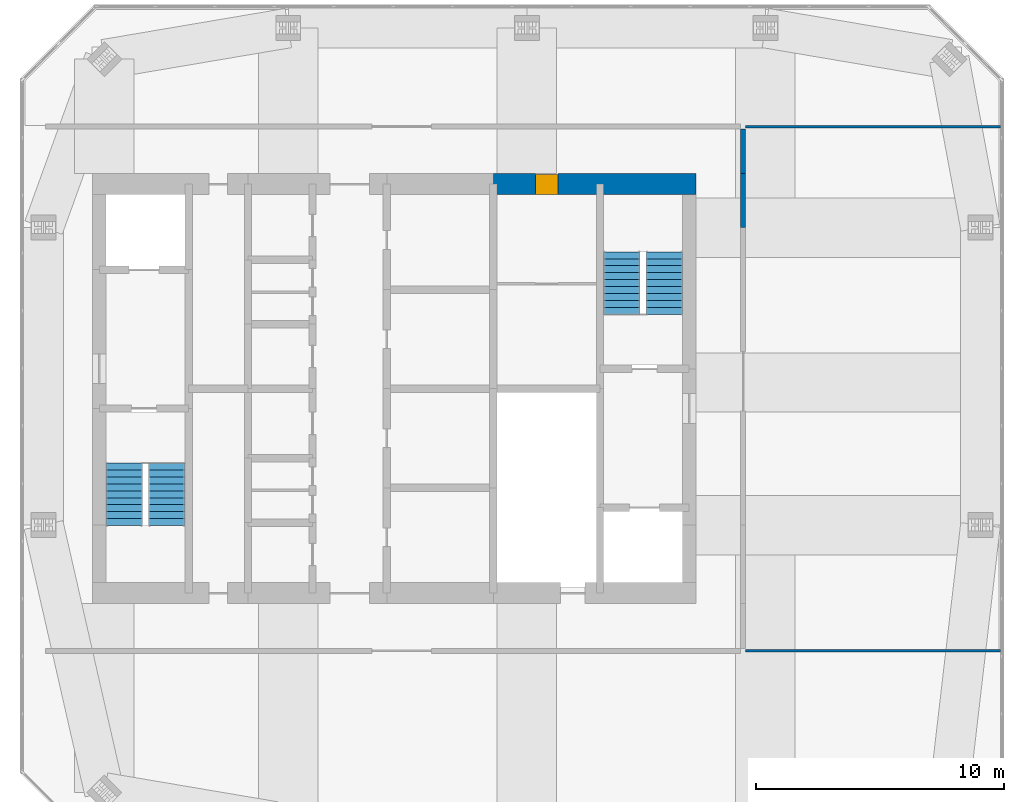
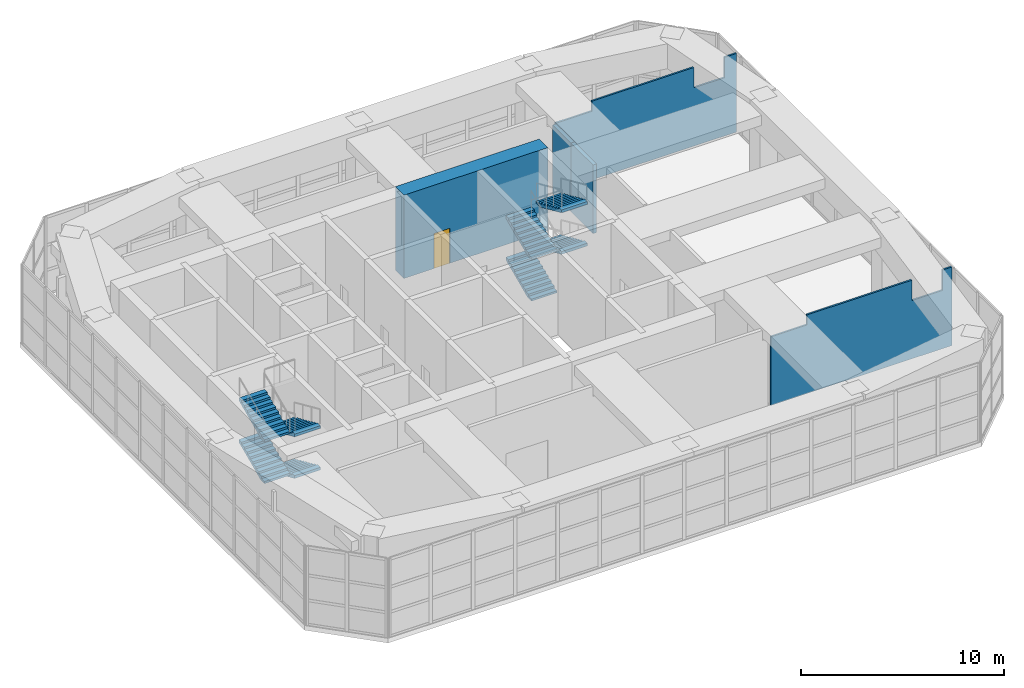
# One storey, part 13 of 14: 8 stair flights, 5 walls, 1 door, 1 opening, 2 elements without a shape of their own.
"""IFC4 building model written with IfcOpenShell, lengths in metres."""

from ifc_helpers import new_model, si_unit, direction, frame, frame_2d, origin, place, context, subcontext, project, spatial, polyline, rectangle, outline, extrude, material, layer, layer_set, constituent, constituent_set, type_object, element, fill, aggregate, save


model = new_model("IFC4")

# Units and contexts
model_context = context("Model", 3, precision=1e-05, world=origin(), true_north=direction((0.0, 1.0)))
body_context = subcontext(model_context, "Body", "Model", "MODEL_VIEW")
ifc_project = project(units=[si_unit("LENGTHUNIT", "METRE"), si_unit("AREAUNIT", "SQUARE_METRE"), si_unit("VOLUMEUNIT", "CUBIC_METRE"), si_unit("PLANEANGLEUNIT", "RADIAN"), si_unit("MASSUNIT", "GRAM", prefix="KILO")], contexts=[model_context])

# Site, building, storey
site_placement = place(None, origin())
site = spatial("IfcSite", under=ifc_project, at=site_placement, CompositionType="ELEMENT")
building_placement = place(site_placement, origin())
building = spatial("IfcBuilding", under=site, at=building_placement, Name="Jalousie Tower", CompositionType="ELEMENT")
storey_placement = place(building_placement, frame((0.0, 0.0, 272.75)))
storey = spatial("IfcBuildingStorey", under=building, at=storey_placement, Name="L74", CompositionType="ELEMENT", Elevation=272.75)

# Wall, opening, door
ifc_material_1 = material(Name="Concrete f'c 120 MPa", Category="concrete")
ifc_layer = layer(ifc_material_1, 0.85009765625)
ifc_layer_set = layer_set([ifc_layer], Name="Concrete f'c 120 MPa")
wall_type_1 = type_object("IfcWallType", Name="CORE WALL 850", PredefinedType="SHEAR", material=ifc_layer_set)
wall_1_placement = place(storey_placement, frame((44.074951171875, 26.75, 0.0), z_axis=(0.0, 0.0, 1.0), x_axis=(-1.0, 0.0, 0.0)))
wall_1 = element("IfcWall", 1, at=wall_1_placement, inside=storey, type_object=wall_type_1, Name="Core wall NA L74", PredefinedType="SHEAR", context=body_context, shape_type="SweptSolid", body=[
    extrude(rectangle(XDim=8.175048828125, YDim=0.85009765625, at=frame_2d((4.08740234375, 0.0))), origin(), (0.0, 0.0, 1.0), 5.0),
])
opening_placement = place(wall_1_placement, frame((5.574951171875, 0.0, 0.0)))
opening = element("IfcOpeningElement", 2, at=opening_placement, cuts=wall_1, Name="Opening D26", PredefinedType="OPENING", context=body_context, shape_type="SweptSolid", body=[
    extrude(rectangle(XDim=0.89990234375, YDim=2.10009765625, at=frame_2d((0.449951171875, 1.050048828125))), frame((0.0, 0.43505859375, 0.0), z_axis=(0.0, -1.0, 0.0), x_axis=(1.0, 0.0, 0.0)), (0.0, 0.0, 1.0), 0.8701171875),
])
ifc_material_2 = material(Name="Steel fire door", Category="steel")
door_type = type_object("IfcDoorType", Name="HOUSEKEEPING STORE DOOR 900", OperationType="SINGLE_SWING_LEFT", PredefinedType="DOOR", material=ifc_material_2)
door_placement = place(opening_placement, origin())
door = element("IfcDoor", 3, at=door_placement, inside=storey, type_object=door_type, Name="Housekeeping store door", OperationType="SINGLE_SWING_LEFT", OverallHeight=2.10009765625, OverallWidth=0.89990234375, PredefinedType="DOOR", context=body_context, shape_type="SweptSolid", body=[
    extrude(rectangle(XDim=0.89990234375, YDim=2.10009765625, at=frame_2d((0.449951171875, 1.050048828125))), frame((0.0, 0.4150390625, 0.0), z_axis=(0.0, -1.0, 0.0), x_axis=(1.0, 0.0, 0.0)), (0.0, 0.0, 1.0), 0.800048828125),
])
fill(opening, door)

# Walls
ifc_material_3 = material(Name="Concrete block ASTM C90", Category="concrete")
ifc_constituent_1 = constituent(ifc_material_3, Name="Body")
ifc_material_4 = material(Name="Render")
ifc_constituent_2 = constituent(ifc_material_4, Name="Finish")
ifc_constituent_set_1 = constituent_set(constituents=[ifc_constituent_1, ifc_constituent_2])
wall_type_2 = type_object("IfcWallType", Name="CORRIDOR WALL 200", PredefinedType="PARTITIONING", material=ifc_constituent_set_1)
wall_2_placement = place(storey_placement, frame((45.97509765625, 27.175048828125, 0.0), z_axis=(0.0, 0.0, 1.0), x_axis=(0.0, 1.0, 0.0)))
element("IfcWall", 4, at=wall_2_placement, inside=storey, type_object=wall_type_2, Name="Corridor Wall 200 L74", PredefinedType="PARTITIONING", context=body_context, shape_type="SweptSolid", body=[
    extrude(outline(polyline([(0.0, 0.0), (1.800048828125, 0.0), (1.800048828125, 4.719970703125), (1.800048828125, 4.1201171875), (0.0, 4.1201171875), (0.0, 4.719970703125), (0.0, 0.0)])), frame((0.0, 0.10009765625, 0.0), z_axis=(0.0, -1.0, 0.0), x_axis=(1.0, 0.0, 0.0)), (0.0, 0.0, 1.0), 0.199951171875),
])
wall_3_placement = place(storey_placement, frame((45.97509765625, 25.0, 0.0), z_axis=(0.0, 0.0, 1.0), x_axis=(0.0, 1.0, 0.0)))
element("IfcWall", 5, at=wall_3_placement, inside=storey, type_object=wall_type_2, Name="Corridor Wall 200 L74-C", PredefinedType="PARTITIONING", context=body_context, shape_type="SweptSolid", body=[
    extrude(rectangle(XDim=2.175048828125, YDim=0.199951171875, at=frame_2d((1.08740234375, 0.0))), origin(), (0.0, 0.0, 1.0), 4.1201171875),
])
ifc_material_5 = material(Name="Gypsum board", Category="gypsum")
ifc_constituent_3 = constituent(ifc_material_5, Name="Body")
ifc_material_6 = material(Name="Light-gauge steel studs ASTM A653 SS Grade 33", Category="steel")
ifc_constituent_4 = constituent(ifc_material_6, Name="Framing")
ifc_constituent_set_2 = constituent_set(constituents=[ifc_constituent_3, ifc_constituent_4])
wall_type_3 = type_object("IfcWallType", Name="PARTITION 100", PredefinedType="PARTITIONING", material=ifc_constituent_set_2)
wall_4_placement = place(storey_placement, frame((46.074951171875, 7.925048828125, 0.0), z_axis=(0.0, 0.0, 1.0), x_axis=(1.0, 0.0, 0.0)))
element("IfcWall", 6, at=wall_4_placement, inside=storey, type_object=wall_type_3, Name="Partition 100 L74", PredefinedType="PARTITIONING", context=body_context, shape_type="SweptSolid", body=[
    extrude(outline(polyline([(0.0, 0.0), (10.275146484375, 0.0), (10.27490234375, 4.719970703125), (9.749755859375, 4.719970703125), (9.749755859375, 3.5), (8.01806640625, 3.5), (8.01806640625, 4.719970703125), (2.06005859375, 4.719970703125), (2.06005859375, 4.1201171875), (0.0, 4.1201171875), (0.0, 4.719970703125), (0.0, 0.0)])), frame((0.0, 0.050048828125, 0.0), z_axis=(0.0, -1.0, 0.0), x_axis=(1.0, 0.0, 0.0)), (0.0, 0.0, 1.0), 0.10009765625),
])
wall_5_placement = place(storey_placement, frame((46.074951171875, 29.074951171875, 0.0), z_axis=(0.0, 0.0, 1.0), x_axis=(1.0, 0.0, 0.0)))
element("IfcWall", 7, at=wall_5_placement, inside=storey, type_object=wall_type_3, Name="Partition 100 L74", PredefinedType="PARTITIONING", context=body_context, shape_type="SweptSolid", body=[
    extrude(outline(polyline([(0.0, 0.0), (10.275146484375, 0.0), (10.27490234375, 4.719970703125), (9.595458984375, 4.719970703125), (9.595458984375, 3.5), (7.84619140625, 3.5), (7.84619140625, 4.719970703125), (2.06005859375, 4.719970703125), (2.06005859375, 4.1201171875), (0.0, 4.1201171875), (0.0, 4.719970703125), (0.0, 0.0)])), frame((0.0, 0.050048828125, 0.0), z_axis=(0.0, -1.0, 0.0), x_axis=(1.0, 0.0, 0.0)), (0.0, 0.0, 1.0), 0.10009765625),
])

# Stair, stair flights
ifc_material_7 = material(Name="Concrete f'c 40 MPa", Category="concrete")
stair_type = type_object("IfcStairType", Name="EXIT STAIR", PredefinedType="HALF_TURN_STAIR", material=ifc_material_7)
stair_1_placement = place(storey_placement, origin())
stair_1 = element("IfcStair", 8, at=stair_1_placement, inside=storey, type_object=stair_type, Name="Exit stair A L74", PredefinedType="HALF_TURN_STAIR")
ifc_material_8 = material(Name="Concrete f'c 40 MPa", Category="concrete")
stair_flight_type = type_object("IfcStairFlightType", Name="STAIR FLIGHT", PredefinedType="STRAIGHT", material=ifc_material_8)
stair_flight_1_placement = place(storey_placement, frame((22.71875, 15.49755859375, 0.0), z_axis=(0.0, 0.0, 1.0), x_axis=(0.0, -1.0, 0.0)))
stair_flight_1 = element("IfcStairFlight", 9, at=stair_flight_1_placement, type_object=stair_flight_type, Name="ST-A flight 1", NumberOfRisers=10, NumberOfTreads=9, PredefinedType="STRAIGHT", RiserHeight=0.125, TreadLength=0.28, context=body_context, shape_type="SweptSolid", body=[
    extrude(outline(polyline([(0.0, 0.0), (0.0, 0.125), (0.280029296875, 0.125), (0.280029296875, 0.25), (0.56005859375, 0.25), (0.56005859375, 0.375), (0.840087890625, 0.375), (0.840087890625, 0.5), (1.1201171875, 0.5), (1.1201171875, 0.625), (1.39990234375, 0.625), (1.39990234375, 0.75), (1.679931640625, 0.75), (1.679931640625, 0.875), (1.9599609375, 0.875), (1.9599609375, 1.0), (2.239990234375, 1.0), (2.239990234375, 1.125), (2.52001953125, 1.125), (2.52001953125, 1.25), (2.52001953125, 0.9609375), (0.36767578125, 0.0), (0.0, 0.0)])), frame((0.0, 0.731201171875, 0.0), z_axis=(0.0, -1.0, 0.0), x_axis=(1.0, 0.0, 0.0)), (0.0, 0.0, 1.0), 1.46240234375),
])
stair_flight_2_placement = place(storey_placement, frame((21.00634765625, 12.9775390625, 1.25), z_axis=(0.0, 0.0, 1.0), x_axis=(0.0, 1.0, 0.0)))
stair_flight_2 = element("IfcStairFlight", 10, at=stair_flight_2_placement, type_object=stair_flight_type, Name="ST-A flight 2", NumberOfRisers=10, NumberOfTreads=9, PredefinedType="STRAIGHT", RiserHeight=0.125, TreadLength=0.28, context=body_context, shape_type="SweptSolid", body=[
    extrude(outline(polyline([(0.0, 0.0), (0.0, 0.125), (0.280029296875, 0.125), (0.280029296875, 0.25), (0.56005859375, 0.25), (0.56005859375, 0.375), (0.840087890625, 0.375), (0.840087890625, 0.5), (1.1201171875, 0.5), (1.1201171875, 0.625), (1.39990234375, 0.625), (1.39990234375, 0.75), (1.679931640625, 0.75), (1.679931640625, 0.875), (1.9599609375, 0.875), (1.9599609375, 1.0), (2.239990234375, 1.0), (2.239990234375, 1.125), (2.52001953125, 1.125), (2.52001953125, 1.25), (2.52001953125, 0.9609375), (0.36767578125, 0.0), (0.0, 0.0)])), frame((0.0, 0.731201171875, 0.0), z_axis=(0.0, -1.0, 0.0), x_axis=(1.0, 0.0, 0.0)), (0.0, 0.0, 1.0), 1.46240234375),
])
stair_flight_3_placement = place(storey_placement, frame((22.71875, 15.49755859375, 2.5), z_axis=(0.0, 0.0, 1.0), x_axis=(0.0, -1.0, 0.0)))
stair_flight_3 = element("IfcStairFlight", 11, at=stair_flight_3_placement, type_object=stair_flight_type, Name="ST-A flight 3", NumberOfRisers=10, NumberOfTreads=9, PredefinedType="STRAIGHT", RiserHeight=0.125, TreadLength=0.28, context=body_context, shape_type="SweptSolid", body=[
    extrude(outline(polyline([(0.0, 0.0), (0.0, 0.125), (0.280029296875, 0.125), (0.280029296875, 0.25), (0.56005859375, 0.25), (0.56005859375, 0.375), (0.840087890625, 0.375), (0.840087890625, 0.5), (1.1201171875, 0.5), (1.1201171875, 0.625), (1.39990234375, 0.625), (1.39990234375, 0.75), (1.679931640625, 0.75), (1.679931640625, 0.875), (1.9599609375, 0.875), (1.9599609375, 1.0), (2.239990234375, 1.0), (2.239990234375, 1.125), (2.52001953125, 1.125), (2.52001953125, 1.25), (2.52001953125, 0.9609375), (0.36767578125, 0.0), (0.0, 0.0)])), frame((0.0, 0.731201171875, 0.0), z_axis=(0.0, -1.0, 0.0), x_axis=(1.0, 0.0, 0.0)), (0.0, 0.0, 1.0), 1.46240234375),
])
stair_flight_4_placement = place(storey_placement, frame((21.00634765625, 12.9775390625, 3.75), z_axis=(0.0, 0.0, 1.0), x_axis=(0.0, 1.0, 0.0)))
stair_flight_4 = element("IfcStairFlight", 12, at=stair_flight_4_placement, type_object=stair_flight_type, Name="ST-A flight 4", NumberOfRisers=10, NumberOfTreads=9, PredefinedType="STRAIGHT", RiserHeight=0.125, TreadLength=0.28, context=body_context, shape_type="SweptSolid", body=[
    extrude(outline(polyline([(0.0, 0.0), (0.0, 0.125), (0.280029296875, 0.125), (0.280029296875, 0.25), (0.56005859375, 0.25), (0.56005859375, 0.375), (0.840087890625, 0.375), (0.840087890625, 0.5), (1.1201171875, 0.5), (1.1201171875, 0.625), (1.39990234375, 0.625), (1.39990234375, 0.75), (1.679931640625, 0.75), (1.679931640625, 0.875), (1.9599609375, 0.875), (1.9599609375, 1.0), (2.239990234375, 1.0), (2.239990234375, 1.125), (2.52001953125, 1.125), (2.52001953125, 1.25), (2.52001953125, 0.9609375), (0.36767578125, 0.0), (0.0, 0.0)])), frame((0.0, 0.731201171875, 0.0), z_axis=(0.0, -1.0, 0.0), x_axis=(1.0, 0.0, 0.0)), (0.0, 0.0, 1.0), 1.46240234375),
])
aggregate(stair_1, [stair_flight_1, stair_flight_2, stair_flight_3, stair_flight_4])

stair_2_placement = place(storey_placement, origin())
stair_2 = element("IfcStair", 13, at=stair_2_placement, inside=storey, type_object=stair_type, Name="Exit stair B L74", PredefinedType="HALF_TURN_STAIR")
stair_flight_5_placement = place(storey_placement, frame((41.081298828125, 21.50244140625, 0.0), z_axis=(0.0, 0.0, 1.0), x_axis=(0.0, 1.0, 0.0)))
stair_flight_5 = element("IfcStairFlight", 14, at=stair_flight_5_placement, type_object=stair_flight_type, Name="ST-B flight 1", NumberOfRisers=10, NumberOfTreads=9, PredefinedType="STRAIGHT", RiserHeight=0.125, TreadLength=0.28, context=body_context, shape_type="SweptSolid", body=[
    extrude(outline(polyline([(0.0, 0.0), (0.0, 0.125), (0.280029296875, 0.125), (0.280029296875, 0.25), (0.56005859375, 0.25), (0.56005859375, 0.375), (0.840087890625, 0.375), (0.840087890625, 0.5), (1.1201171875, 0.5), (1.1201171875, 0.625), (1.39990234375, 0.625), (1.39990234375, 0.75), (1.679931640625, 0.75), (1.679931640625, 0.875), (1.9599609375, 0.875), (1.9599609375, 1.0), (2.239990234375, 1.0), (2.239990234375, 1.125), (2.52001953125, 1.125), (2.52001953125, 1.25), (2.52001953125, 0.9609375), (0.36767578125, 0.0), (0.0, 0.0)])), frame((0.0, 0.731201171875, 0.0), z_axis=(0.0, -1.0, 0.0), x_axis=(1.0, 0.0, 0.0)), (0.0, 0.0, 1.0), 1.46240234375),
])
stair_flight_6_placement = place(storey_placement, frame((42.793701171875, 24.0224609375, 1.25), z_axis=(0.0, 0.0, 1.0), x_axis=(0.0, -1.0, 0.0)))
stair_flight_6 = element("IfcStairFlight", 15, at=stair_flight_6_placement, type_object=stair_flight_type, Name="ST-B flight 2", NumberOfRisers=10, NumberOfTreads=9, PredefinedType="STRAIGHT", RiserHeight=0.125, TreadLength=0.28, context=body_context, shape_type="SweptSolid", body=[
    extrude(outline(polyline([(0.0, 0.0), (0.0, 0.125), (0.280029296875, 0.125), (0.280029296875, 0.25), (0.56005859375, 0.25), (0.56005859375, 0.375), (0.840087890625, 0.375), (0.840087890625, 0.5), (1.1201171875, 0.5), (1.1201171875, 0.625), (1.39990234375, 0.625), (1.39990234375, 0.75), (1.679931640625, 0.75), (1.679931640625, 0.875), (1.9599609375, 0.875), (1.9599609375, 1.0), (2.239990234375, 1.0), (2.239990234375, 1.125), (2.52001953125, 1.125), (2.52001953125, 1.25), (2.52001953125, 0.9609375), (0.36767578125, 0.0), (0.0, 0.0)])), frame((0.0, 0.731201171875, 0.0), z_axis=(0.0, -1.0, 0.0), x_axis=(1.0, 0.0, 0.0)), (0.0, 0.0, 1.0), 1.46240234375),
])
stair_flight_7_placement = place(storey_placement, frame((41.081298828125, 21.50244140625, 2.5), z_axis=(0.0, 0.0, 1.0), x_axis=(0.0, 1.0, 0.0)))
stair_flight_7 = element("IfcStairFlight", 16, at=stair_flight_7_placement, type_object=stair_flight_type, Name="ST-B flight 3", NumberOfRisers=10, NumberOfTreads=9, PredefinedType="STRAIGHT", RiserHeight=0.125, TreadLength=0.28, context=body_context, shape_type="SweptSolid", body=[
    extrude(outline(polyline([(0.0, 0.0), (0.0, 0.125), (0.280029296875, 0.125), (0.280029296875, 0.25), (0.56005859375, 0.25), (0.56005859375, 0.375), (0.840087890625, 0.375), (0.840087890625, 0.5), (1.1201171875, 0.5), (1.1201171875, 0.625), (1.39990234375, 0.625), (1.39990234375, 0.75), (1.679931640625, 0.75), (1.679931640625, 0.875), (1.9599609375, 0.875), (1.9599609375, 1.0), (2.239990234375, 1.0), (2.239990234375, 1.125), (2.52001953125, 1.125), (2.52001953125, 1.25), (2.52001953125, 0.9609375), (0.36767578125, 0.0), (0.0, 0.0)])), frame((0.0, 0.731201171875, 0.0), z_axis=(0.0, -1.0, 0.0), x_axis=(1.0, 0.0, 0.0)), (0.0, 0.0, 1.0), 1.46240234375),
])
stair_flight_8_placement = place(storey_placement, frame((42.793701171875, 24.0224609375, 3.75), z_axis=(0.0, 0.0, 1.0), x_axis=(0.0, -1.0, 0.0)))
stair_flight_8 = element("IfcStairFlight", 17, at=stair_flight_8_placement, type_object=stair_flight_type, Name="ST-B flight 4", NumberOfRisers=10, NumberOfTreads=9, PredefinedType="STRAIGHT", RiserHeight=0.125, TreadLength=0.28, context=body_context, shape_type="SweptSolid", body=[
    extrude(outline(polyline([(0.0, 0.0), (0.0, 0.125), (0.280029296875, 0.125), (0.280029296875, 0.25), (0.56005859375, 0.25), (0.56005859375, 0.375), (0.840087890625, 0.375), (0.840087890625, 0.5), (1.1201171875, 0.5), (1.1201171875, 0.625), (1.39990234375, 0.625), (1.39990234375, 0.75), (1.679931640625, 0.75), (1.679931640625, 0.875), (1.9599609375, 0.875), (1.9599609375, 1.0), (2.239990234375, 1.0), (2.239990234375, 1.125), (2.52001953125, 1.125), (2.52001953125, 1.25), (2.52001953125, 0.9609375), (0.36767578125, 0.0), (0.0, 0.0)])), frame((0.0, 0.731201171875, 0.0), z_axis=(0.0, -1.0, 0.0), x_axis=(1.0, 0.0, 0.0)), (0.0, 0.0, 1.0), 1.46240234375),
])
aggregate(stair_2, [stair_flight_5, stair_flight_6, stair_flight_7, stair_flight_8])

save(model, "model.ifc")
